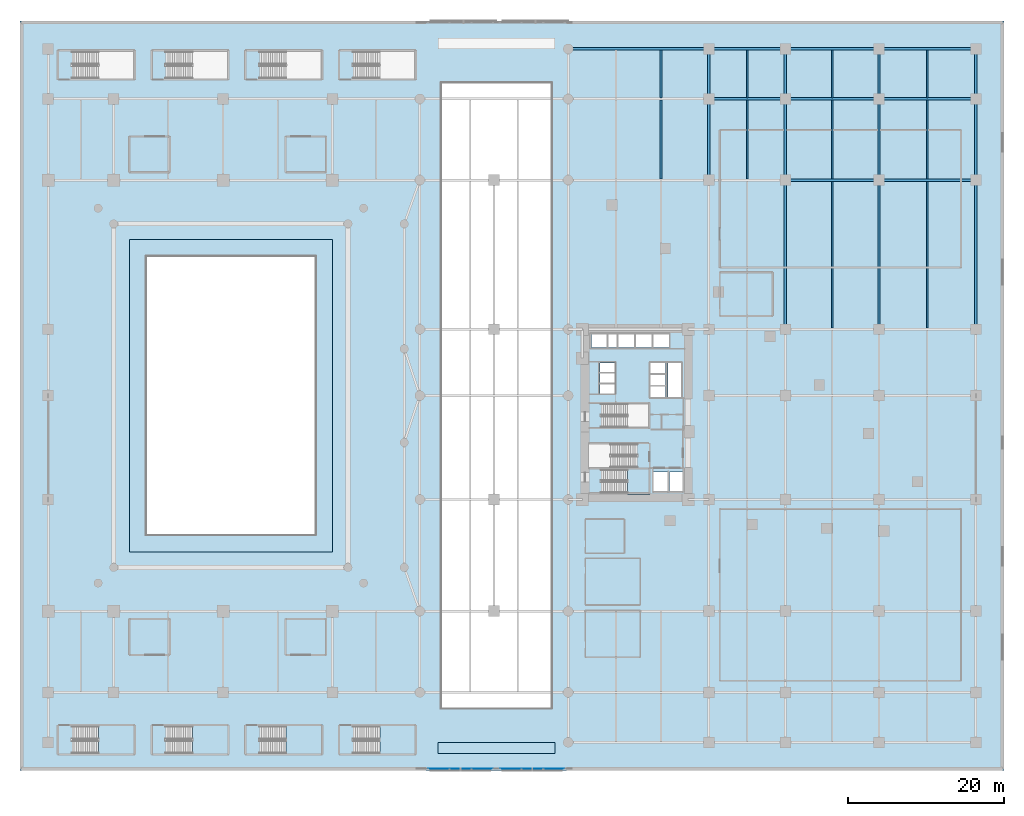
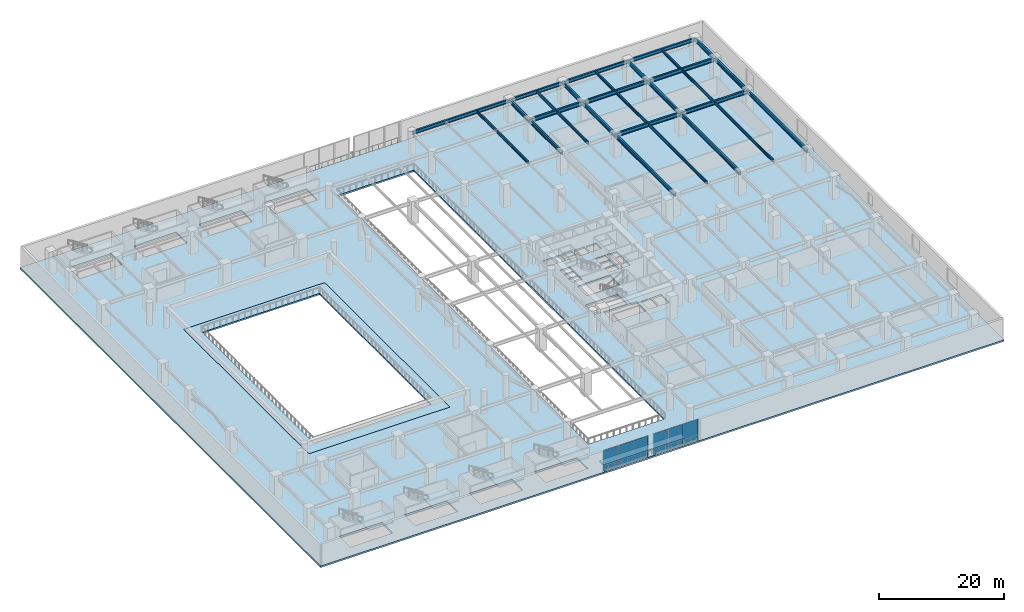
# One storey, part 10 of 32: 30 beams, 8 slabs, 6 plates, 7 elements without a shape of their own.
"""IFC4 building model written with IfcOpenShell, lengths in metres."""

from ifc_helpers import new_model, si_unit, direction, frame, origin, origin_2d, place, context, subcontext, project, spatial, polyline, rectangle, i_section, outline, extrude, material, layer, layer_set, material_profile, profile_set, type_object, element, aggregate, save


model = new_model("IFC4")

# Units and contexts
model_context = context("Model", 3, precision=1e-05, world=origin(), true_north=direction((0.0, 1.0)))
body_context = subcontext(model_context, "Body", "Model", "MODEL_VIEW")
ifc_project = project(units=[si_unit("LENGTHUNIT", "METRE"), si_unit("AREAUNIT", "SQUARE_METRE"), si_unit("VOLUMEUNIT", "CUBIC_METRE"), si_unit("PLANEANGLEUNIT", "RADIAN"), si_unit("MASSUNIT", "GRAM", prefix="KILO")], contexts=[model_context])

# Site, building, storey
site_placement = place(None, origin())
site = spatial("IfcSite", under=ifc_project, at=site_placement, CompositionType="ELEMENT")
building_placement = place(site_placement, origin())
building = spatial("IfcBuilding", under=site, at=building_placement, Name="Narakoshi Arena Tower", CompositionType="ELEMENT")
storey_placement = place(building_placement, frame((0.0, 0.0, 4.5)))
storey = spatial("IfcBuildingStorey", under=building, at=storey_placement, Name="L01", CompositionType="ELEMENT", Elevation=4.5)

# Beams
ifc_material_1 = material(Name="Structural steel S355J2", Category="steel")
ifc_material_profile_1 = material_profile(ifc_material_1, i_section(OverallWidth=0.300048828125, OverallDepth=0.699951171875, WebThickness=0.01708984375, FlangeThickness=0.031982421875, FilletRadius=0.027099609375, at=origin_2d()), Name="HE700B")
ifc_profile_set_1 = profile_set([ifc_material_profile_1], Name="Structural steel S355J2")
beam_type_1 = type_object("IfcBeamType", Name="BM-PRI-700", PredefinedType="BEAM", material=ifc_profile_set_1)
beam_1_placement = place(storey_placement, frame((98.0, 75.60009765625, 3.830078125), z_axis=(1.0, 0.0, 0.0), x_axis=(0.0, 1.0, 0.0)))
element("IfcBeam", 1, at=beam_1_placement, inside=storey, type_object=beam_type_1, Name="L01 Podium Primary X-Girder 051", PredefinedType="BEAM", context=body_context, shape_type="SweptSolid", body=[
    extrude(i_section(OverallWidth=0.300048828125, OverallDepth=0.699951171875, WebThickness=0.01708984375, FlangeThickness=0.031982421875, FilletRadius=0.027099609375, at=origin_2d()), origin(), (0.0, 0.0, 1.0), 12.0),
])
beam_2_placement = place(storey_placement, frame((110.0, 75.60009765625, 3.830078125), z_axis=(1.0, 0.0, 0.0), x_axis=(0.0, 1.0, 0.0)))
element("IfcBeam", 2, at=beam_2_placement, inside=storey, type_object=beam_type_1, Name="L01 Podium Primary X-Girder 052", PredefinedType="BEAM", context=body_context, shape_type="SweptSolid", body=[
    extrude(i_section(OverallWidth=0.300048828125, OverallDepth=0.699951171875, WebThickness=0.01708984375, FlangeThickness=0.031982421875, FilletRadius=0.027099609375, at=origin_2d()), origin(), (0.0, 0.0, 1.0), 12.39990234375),
])
beam_3_placement = place(storey_placement, frame((88.199951171875, 86.0, 3.830078125), z_axis=(1.0, 0.0, 0.0), x_axis=(0.0, 1.0, 0.0)))
element("IfcBeam", 3, at=beam_3_placement, inside=storey, type_object=beam_type_1, Name="L01 Podium Primary X-Girder 059", PredefinedType="BEAM", context=body_context, shape_type="SweptSolid", body=[
    extrude(i_section(OverallWidth=0.300048828125, OverallDepth=0.699951171875, WebThickness=0.01708984375, FlangeThickness=0.031982421875, FilletRadius=0.027099609375, at=origin_2d()), origin(), (0.0, 0.0, 1.0), 9.800048828125),
])
beam_4_placement = place(storey_placement, frame((98.0, 86.0, 3.830078125), z_axis=(1.0, 0.0, 0.0), x_axis=(0.0, 1.0, 0.0)))
element("IfcBeam", 4, at=beam_4_placement, inside=storey, type_object=beam_type_1, Name="L01 Podium Primary X-Girder 060", PredefinedType="BEAM", context=body_context, shape_type="SweptSolid", body=[
    extrude(i_section(OverallWidth=0.300048828125, OverallDepth=0.699951171875, WebThickness=0.01708984375, FlangeThickness=0.031982421875, FilletRadius=0.027099609375, at=origin_2d()), origin(), (0.0, 0.0, 1.0), 12.0),
])
beam_5_placement = place(storey_placement, frame((110.0, 86.0, 3.830078125), z_axis=(1.0, 0.0, 0.0), x_axis=(0.0, 1.0, 0.0)))
element("IfcBeam", 5, at=beam_5_placement, inside=storey, type_object=beam_type_1, Name="L01 Podium Primary X-Girder 061", PredefinedType="BEAM", context=body_context, shape_type="SweptSolid", body=[
    extrude(i_section(OverallWidth=0.300048828125, OverallDepth=0.699951171875, WebThickness=0.01708984375, FlangeThickness=0.031982421875, FilletRadius=0.027099609375, at=origin_2d()), origin(), (0.0, 0.0, 1.0), 12.39990234375),
])
beam_6_placement = place(storey_placement, frame((70.199951171875, 92.39990234375, 3.830078125), z_axis=(1.0, 0.0, 0.0), x_axis=(0.0, 1.0, 0.0)))
element("IfcBeam", 6, at=beam_6_placement, inside=storey, type_object=beam_type_1, Name="L01 Podium Primary X-Girder 062", PredefinedType="BEAM", context=body_context, shape_type="SweptSolid", body=[
    extrude(i_section(OverallWidth=0.300048828125, OverallDepth=0.699951171875, WebThickness=0.01708984375, FlangeThickness=0.031982421875, FilletRadius=0.027099609375, at=origin_2d()), origin(), (0.0, 0.0, 1.0), 18.0),
])
beam_7_placement = place(storey_placement, frame((88.199951171875, 92.39990234375, 3.830078125), z_axis=(1.0, 0.0, 0.0), x_axis=(0.0, 1.0, 0.0)))
element("IfcBeam", 7, at=beam_7_placement, inside=storey, type_object=beam_type_1, Name="L01 Podium Primary X-Girder 063", PredefinedType="BEAM", context=body_context, shape_type="SweptSolid", body=[
    extrude(i_section(OverallWidth=0.300048828125, OverallDepth=0.699951171875, WebThickness=0.01708984375, FlangeThickness=0.031982421875, FilletRadius=0.027099609375, at=origin_2d()), origin(), (0.0, 0.0, 1.0), 9.800048828125),
])
beam_8_placement = place(storey_placement, frame((98.0, 92.39990234375, 3.830078125), z_axis=(1.0, 0.0, 0.0), x_axis=(0.0, 1.0, 0.0)))
element("IfcBeam", 8, at=beam_8_placement, inside=storey, type_object=beam_type_1, Name="L01 Podium Primary X-Girder 064", PredefinedType="BEAM", context=body_context, shape_type="SweptSolid", body=[
    extrude(i_section(OverallWidth=0.300048828125, OverallDepth=0.699951171875, WebThickness=0.01708984375, FlangeThickness=0.031982421875, FilletRadius=0.027099609375, at=origin_2d()), origin(), (0.0, 0.0, 1.0), 12.0),
])
beam_9_placement = place(storey_placement, frame((110.0, 92.39990234375, 3.830078125), z_axis=(1.0, 0.0, 0.0), x_axis=(0.0, 1.0, 0.0)))
element("IfcBeam", 9, at=beam_9_placement, inside=storey, type_object=beam_type_1, Name="L01 Podium Primary X-Girder 065", PredefinedType="BEAM", context=body_context, shape_type="SweptSolid", body=[
    extrude(i_section(OverallWidth=0.300048828125, OverallDepth=0.699951171875, WebThickness=0.01708984375, FlangeThickness=0.031982421875, FilletRadius=0.027099609375, at=origin_2d()), origin(), (0.0, 0.0, 1.0), 12.39990234375),
])
beam_10_placement = place(storey_placement, frame((88.199951171875, 75.60009765625, 3.830078125), z_axis=(0.0, 1.0, 0.0), x_axis=(-1.0, 0.0, 0.0)))
element("IfcBeam", 10, at=beam_10_placement, inside=storey, type_object=beam_type_1, Name="L01 Podium Primary Y-Girder 104", PredefinedType="BEAM", context=body_context, shape_type="SweptSolid", body=[
    extrude(i_section(OverallWidth=0.300048828125, OverallDepth=0.699951171875, WebThickness=0.01708984375, FlangeThickness=0.031982421875, FilletRadius=0.027099609375, at=origin_2d()), origin(), (0.0, 0.0, 1.0), 10.39990234375),
])
beam_11_placement = place(storey_placement, frame((88.199951171875, 86.0, 3.830078125), z_axis=(0.0, 1.0, 0.0), x_axis=(-1.0, 0.0, 0.0)))
element("IfcBeam", 11, at=beam_11_placement, inside=storey, type_object=beam_type_1, Name="L01 Podium Primary Y-Girder 105", PredefinedType="BEAM", context=body_context, shape_type="SweptSolid", body=[
    extrude(i_section(OverallWidth=0.300048828125, OverallDepth=0.699951171875, WebThickness=0.01708984375, FlangeThickness=0.031982421875, FilletRadius=0.027099609375, at=origin_2d()), origin(), (0.0, 0.0, 1.0), 6.39990234375),
])
beam_12_placement = place(storey_placement, frame((98.0, 56.5, 3.830078125), z_axis=(0.0, 1.0, 0.0), x_axis=(-1.0, 0.0, 0.0)))
element("IfcBeam", 12, at=beam_12_placement, inside=storey, type_object=beam_type_1, Name="L01 Podium Primary Y-Girder 111", PredefinedType="BEAM", context=body_context, shape_type="SweptSolid", body=[
    extrude(i_section(OverallWidth=0.300048828125, OverallDepth=0.699951171875, WebThickness=0.01708984375, FlangeThickness=0.031982421875, FilletRadius=0.027099609375, at=origin_2d()), origin(), (0.0, 0.0, 1.0), 19.10009765625),
])
beam_13_placement = place(storey_placement, frame((98.0, 75.60009765625, 3.830078125), z_axis=(0.0, 1.0, 0.0), x_axis=(-1.0, 0.0, 0.0)))
element("IfcBeam", 13, at=beam_13_placement, inside=storey, type_object=beam_type_1, Name="L01 Podium Primary Y-Girder 112", PredefinedType="BEAM", context=body_context, shape_type="SweptSolid", body=[
    extrude(i_section(OverallWidth=0.300048828125, OverallDepth=0.699951171875, WebThickness=0.01708984375, FlangeThickness=0.031982421875, FilletRadius=0.027099609375, at=origin_2d()), origin(), (0.0, 0.0, 1.0), 10.39990234375),
])
beam_14_placement = place(storey_placement, frame((98.0, 86.0, 3.830078125), z_axis=(0.0, 1.0, 0.0), x_axis=(-1.0, 0.0, 0.0)))
element("IfcBeam", 14, at=beam_14_placement, inside=storey, type_object=beam_type_1, Name="L01 Podium Primary Y-Girder 113", PredefinedType="BEAM", context=body_context, shape_type="SweptSolid", body=[
    extrude(i_section(OverallWidth=0.300048828125, OverallDepth=0.699951171875, WebThickness=0.01708984375, FlangeThickness=0.031982421875, FilletRadius=0.027099609375, at=origin_2d()), origin(), (0.0, 0.0, 1.0), 6.39990234375),
])
beam_15_placement = place(storey_placement, frame((110.0, 56.5, 3.830078125), z_axis=(0.0, 1.0, 0.0), x_axis=(-1.0, 0.0, 0.0)))
element("IfcBeam", 15, at=beam_15_placement, inside=storey, type_object=beam_type_1, Name="L01 Podium Primary Y-Girder 119", PredefinedType="BEAM", context=body_context, shape_type="SweptSolid", body=[
    extrude(i_section(OverallWidth=0.300048828125, OverallDepth=0.699951171875, WebThickness=0.01708984375, FlangeThickness=0.031982421875, FilletRadius=0.027099609375, at=origin_2d()), origin(), (0.0, 0.0, 1.0), 19.10009765625),
])
beam_16_placement = place(storey_placement, frame((110.0, 75.60009765625, 3.830078125), z_axis=(0.0, 1.0, 0.0), x_axis=(-1.0, 0.0, 0.0)))
element("IfcBeam", 16, at=beam_16_placement, inside=storey, type_object=beam_type_1, Name="L01 Podium Primary Y-Girder 120", PredefinedType="BEAM", context=body_context, shape_type="SweptSolid", body=[
    extrude(i_section(OverallWidth=0.300048828125, OverallDepth=0.699951171875, WebThickness=0.01708984375, FlangeThickness=0.031982421875, FilletRadius=0.027099609375, at=origin_2d()), origin(), (0.0, 0.0, 1.0), 10.39990234375),
])
beam_17_placement = place(storey_placement, frame((110.0, 86.0, 3.830078125), z_axis=(0.0, 1.0, 0.0), x_axis=(-1.0, 0.0, 0.0)))
element("IfcBeam", 17, at=beam_17_placement, inside=storey, type_object=beam_type_1, Name="L01 Podium Primary Y-Girder 121", PredefinedType="BEAM", context=body_context, shape_type="SweptSolid", body=[
    extrude(i_section(OverallWidth=0.300048828125, OverallDepth=0.699951171875, WebThickness=0.01708984375, FlangeThickness=0.031982421875, FilletRadius=0.027099609375, at=origin_2d()), origin(), (0.0, 0.0, 1.0), 6.39990234375),
])
beam_18_placement = place(storey_placement, frame((122.39990234375, 56.5, 3.830078125), z_axis=(0.0, 1.0, 0.0), x_axis=(-1.0, 0.0, 0.0)))
element("IfcBeam", 18, at=beam_18_placement, inside=storey, type_object=beam_type_1, Name="L01 Podium Primary Y-Girder 127", PredefinedType="BEAM", context=body_context, shape_type="SweptSolid", body=[
    extrude(i_section(OverallWidth=0.300048828125, OverallDepth=0.699951171875, WebThickness=0.01708984375, FlangeThickness=0.031982421875, FilletRadius=0.027099609375, at=origin_2d()), origin(), (0.0, 0.0, 1.0), 19.10009765625),
])
beam_19_placement = place(storey_placement, frame((122.39990234375, 75.60009765625, 3.830078125), z_axis=(0.0, 1.0, 0.0), x_axis=(-1.0, 0.0, 0.0)))
element("IfcBeam", 19, at=beam_19_placement, inside=storey, type_object=beam_type_1, Name="L01 Podium Primary Y-Girder 128", PredefinedType="BEAM", context=body_context, shape_type="SweptSolid", body=[
    extrude(i_section(OverallWidth=0.300048828125, OverallDepth=0.699951171875, WebThickness=0.01708984375, FlangeThickness=0.031982421875, FilletRadius=0.027099609375, at=origin_2d()), origin(), (0.0, 0.0, 1.0), 10.39990234375),
])
beam_20_placement = place(storey_placement, frame((122.39990234375, 86.0, 3.830078125), z_axis=(0.0, 1.0, 0.0), x_axis=(-1.0, 0.0, 0.0)))
element("IfcBeam", 20, at=beam_20_placement, inside=storey, type_object=beam_type_1, Name="L01 Podium Primary Y-Girder 129", PredefinedType="BEAM", context=body_context, shape_type="SweptSolid", body=[
    extrude(i_section(OverallWidth=0.300048828125, OverallDepth=0.699951171875, WebThickness=0.01708984375, FlangeThickness=0.031982421875, FilletRadius=0.027099609375, at=origin_2d()), origin(), (0.0, 0.0, 1.0), 6.39990234375),
])
ifc_material_profile_2 = material_profile(ifc_material_1, i_section(OverallWidth=0.199951171875, OverallDepth=0.5, WebThickness=0.01025390625, FlangeThickness=0.01611328125, FilletRadius=0.02099609375, at=origin_2d()), Name="IPE500")
ifc_profile_set_2 = profile_set([ifc_material_profile_2], Name="Structural steel S355J2")
beam_type_2 = type_object("IfcBeamType", Name="BM-SEC-500", PredefinedType="JOIST", material=ifc_profile_set_2)
beam_21_placement = place(storey_placement, frame((82.080078125, 75.735107421875, 3.929931640625), z_axis=(0.0, 1.0, 0.0), x_axis=(-1.0, 0.0, 0.0)))
element("IfcBeam", 21, at=beam_21_placement, inside=storey, type_object=beam_type_2, Name="L01 Podium Composite Floor Joist 029", PredefinedType="JOIST", context=body_context, shape_type="SweptSolid", body=[
    extrude(i_section(OverallWidth=0.199951171875, OverallDepth=0.5, WebThickness=0.01025390625, FlangeThickness=0.01611328125, FilletRadius=0.02099609375, at=origin_2d()), origin(), (0.0, 0.0, 1.0), 10.1298828125),
])
beam_22_placement = place(storey_placement, frame((82.080078125, 86.135009765625, 3.929931640625), z_axis=(0.0, 1.0, 0.0), x_axis=(-1.0, 0.0, 0.0)))
element("IfcBeam", 22, at=beam_22_placement, inside=storey, type_object=beam_type_2, Name="L01 Podium Composite Floor Joist 030", PredefinedType="JOIST", context=body_context, shape_type="SweptSolid", body=[
    extrude(i_section(OverallWidth=0.199951171875, OverallDepth=0.5, WebThickness=0.01025390625, FlangeThickness=0.01611328125, FilletRadius=0.02099609375, at=origin_2d()), origin(), (0.0, 0.0, 1.0), 6.1298828125),
])
beam_23_placement = place(storey_placement, frame((93.10009765625, 75.735107421875, 3.929931640625), z_axis=(0.0, 1.0, 0.0), x_axis=(-1.0, 0.0, 0.0)))
element("IfcBeam", 23, at=beam_23_placement, inside=storey, type_object=beam_type_2, Name="L01 Podium Composite Floor Joist 037", PredefinedType="JOIST", context=body_context, shape_type="SweptSolid", body=[
    extrude(i_section(OverallWidth=0.199951171875, OverallDepth=0.5, WebThickness=0.01025390625, FlangeThickness=0.01611328125, FilletRadius=0.02099609375, at=origin_2d()), origin(), (0.0, 0.0, 1.0), 10.1298828125),
])
beam_24_placement = place(storey_placement, frame((93.10009765625, 86.135009765625, 3.929931640625), z_axis=(0.0, 1.0, 0.0), x_axis=(-1.0, 0.0, 0.0)))
element("IfcBeam", 24, at=beam_24_placement, inside=storey, type_object=beam_type_2, Name="L01 Podium Composite Floor Joist 038", PredefinedType="JOIST", context=body_context, shape_type="SweptSolid", body=[
    extrude(i_section(OverallWidth=0.199951171875, OverallDepth=0.5, WebThickness=0.01025390625, FlangeThickness=0.01611328125, FilletRadius=0.02099609375, at=origin_2d()), origin(), (0.0, 0.0, 1.0), 6.1298828125),
])
beam_25_placement = place(storey_placement, frame((104.0, 56.635009765625, 3.929931640625), z_axis=(0.0, 1.0, 0.0), x_axis=(-1.0, 0.0, 0.0)))
element("IfcBeam", 25, at=beam_25_placement, inside=storey, type_object=beam_type_2, Name="L01 Podium Composite Floor Joist 044", PredefinedType="JOIST", context=body_context, shape_type="SweptSolid", body=[
    extrude(i_section(OverallWidth=0.199951171875, OverallDepth=0.5, WebThickness=0.01025390625, FlangeThickness=0.01611328125, FilletRadius=0.02099609375, at=origin_2d()), origin(), (0.0, 0.0, 1.0), 18.830078125),
])
beam_26_placement = place(storey_placement, frame((104.0, 75.735107421875, 3.929931640625), z_axis=(0.0, 1.0, 0.0), x_axis=(-1.0, 0.0, 0.0)))
element("IfcBeam", 26, at=beam_26_placement, inside=storey, type_object=beam_type_2, Name="L01 Podium Composite Floor Joist 045", PredefinedType="JOIST", context=body_context, shape_type="SweptSolid", body=[
    extrude(i_section(OverallWidth=0.199951171875, OverallDepth=0.5, WebThickness=0.01025390625, FlangeThickness=0.01611328125, FilletRadius=0.02099609375, at=origin_2d()), origin(), (0.0, 0.0, 1.0), 10.1298828125),
])
beam_27_placement = place(storey_placement, frame((104.0, 86.135009765625, 3.929931640625), z_axis=(0.0, 1.0, 0.0), x_axis=(-1.0, 0.0, 0.0)))
element("IfcBeam", 27, at=beam_27_placement, inside=storey, type_object=beam_type_2, Name="L01 Podium Composite Floor Joist 046", PredefinedType="JOIST", context=body_context, shape_type="SweptSolid", body=[
    extrude(i_section(OverallWidth=0.199951171875, OverallDepth=0.5, WebThickness=0.01025390625, FlangeThickness=0.01611328125, FilletRadius=0.02099609375, at=origin_2d()), origin(), (0.0, 0.0, 1.0), 6.1298828125),
])
beam_28_placement = place(storey_placement, frame((116.199951171875, 56.635009765625, 3.929931640625), z_axis=(0.0, 1.0, 0.0), x_axis=(-1.0, 0.0, 0.0)))
element("IfcBeam", 28, at=beam_28_placement, inside=storey, type_object=beam_type_2, Name="L01 Podium Composite Floor Joist 052", PredefinedType="JOIST", context=body_context, shape_type="SweptSolid", body=[
    extrude(i_section(OverallWidth=0.199951171875, OverallDepth=0.5, WebThickness=0.01025390625, FlangeThickness=0.01611328125, FilletRadius=0.02099609375, at=origin_2d()), origin(), (0.0, 0.0, 1.0), 18.830078125),
])
beam_29_placement = place(storey_placement, frame((116.199951171875, 75.735107421875, 3.929931640625), z_axis=(0.0, 1.0, 0.0), x_axis=(-1.0, 0.0, 0.0)))
element("IfcBeam", 29, at=beam_29_placement, inside=storey, type_object=beam_type_2, Name="L01 Podium Composite Floor Joist 053", PredefinedType="JOIST", context=body_context, shape_type="SweptSolid", body=[
    extrude(i_section(OverallWidth=0.199951171875, OverallDepth=0.5, WebThickness=0.01025390625, FlangeThickness=0.01611328125, FilletRadius=0.02099609375, at=origin_2d()), origin(), (0.0, 0.0, 1.0), 10.1298828125),
])
beam_30_placement = place(storey_placement, frame((116.199951171875, 86.135009765625, 3.929931640625), z_axis=(0.0, 1.0, 0.0), x_axis=(-1.0, 0.0, 0.0)))
element("IfcBeam", 30, at=beam_30_placement, inside=storey, type_object=beam_type_2, Name="L01 Podium Composite Floor Joist 054", PredefinedType="JOIST", context=body_context, shape_type="SweptSolid", body=[
    extrude(i_section(OverallWidth=0.199951171875, OverallDepth=0.5, WebThickness=0.01025390625, FlangeThickness=0.01611328125, FilletRadius=0.02099609375, at=origin_2d()), origin(), (0.0, 0.0, 1.0), 6.1298828125),
])

# Curtain wall, plates
ifc_material_2 = material(Name="Anodised bronze aluminium 6063-T6", Category="aluminium")
curtain_wall_type = type_object("IfcCurtainWallType", Name="CW-POD-CONC", PredefinedType="NOTDEFINED", material=ifc_material_2)
curtain_wall_1_placement = place(storey_placement, origin())
curtain_wall_1 = element("IfcCurtainWall", 31, at=curtain_wall_1_placement, inside=storey, type_object=curtain_wall_type, Name="L01 Street Concourse Curtain Wall CS1", PredefinedType="NOTDEFINED")
ifc_material_3 = material(Name="Bronze-tinted low-E laminated glass", Category="glass")
ifc_layer_1 = layer(ifc_material_3, 0.031982421875)
ifc_layer_set_1 = layer_set([ifc_layer_1], Name="Bronze-tinted low-E laminated glass")
plate_type = type_object("IfcPlateType", Name="PLT-GLZ-32", PredefinedType="CURTAIN_PANEL", material=ifc_layer_set_1)
plate_1_placement = place(storey_placement, frame((53.6201171875, 0.2099609375, 0.070068359375), z_axis=(0.0, 0.0, 1.0), x_axis=(1.0, 0.0, 0.0)))
plate_1 = element("IfcPlate", 32, at=plate_1_placement, type_object=plate_type, Name="CW-04 panel 1.1", PredefinedType="CURTAIN_PANEL", context=body_context, shape_type="SweptSolid", body=[
    extrude(rectangle(XDim=2.679931640625, YDim=0.031982421875, at=origin_2d()), origin(), (0.0, 0.0, 1.0), 4.0400390625),
])
plate_2_placement = place(storey_placement, frame((56.39990234375, 0.2099609375, 0.070068359375), z_axis=(0.0, 0.0, 1.0), x_axis=(1.0, 0.0, 0.0)))
plate_2 = element("IfcPlate", 33, at=plate_2_placement, type_object=plate_type, Name="CW-04 panel 2.1", PredefinedType="CURTAIN_PANEL", context=body_context, shape_type="SweptSolid", body=[
    extrude(rectangle(XDim=2.719970703125, YDim=0.031982421875, at=origin_2d()), origin(), (0.0, 0.0, 1.0), 4.0400390625),
])
plate_3_placement = place(storey_placement, frame((59.179931640625, 0.2099609375, 0.070068359375), z_axis=(0.0, 0.0, 1.0), x_axis=(1.0, 0.0, 0.0)))
plate_3 = element("IfcPlate", 34, at=plate_3_placement, type_object=plate_type, Name="CW-04 panel 3.1", PredefinedType="CURTAIN_PANEL", context=body_context, shape_type="SweptSolid", body=[
    extrude(rectangle(XDim=2.679931640625, YDim=0.031982421875, at=origin_2d()), origin(), (0.0, 0.0, 1.0), 4.0400390625),
])
aggregate(curtain_wall_1, [plate_1, plate_2, plate_3])

curtain_wall_2_placement = place(storey_placement, origin())
curtain_wall_2 = element("IfcCurtainWall", 35, at=curtain_wall_2_placement, inside=storey, type_object=curtain_wall_type, Name="L01 Street Concourse Curtain Wall CS2", PredefinedType="NOTDEFINED")
plate_4_placement = place(storey_placement, frame((62.820068359375, 0.2099609375, 0.070068359375), z_axis=(0.0, 0.0, 1.0), x_axis=(1.0, 0.0, 0.0)))
plate_4 = element("IfcPlate", 36, at=plate_4_placement, type_object=plate_type, Name="CW-04 panel 1.1", PredefinedType="CURTAIN_PANEL", context=body_context, shape_type="SweptSolid", body=[
    extrude(rectangle(XDim=2.679931640625, YDim=0.031982421875, at=origin_2d()), origin(), (0.0, 0.0, 1.0), 4.0400390625),
])
plate_5_placement = place(storey_placement, frame((65.60009765625, 0.2099609375, 0.070068359375), z_axis=(0.0, 0.0, 1.0), x_axis=(1.0, 0.0, 0.0)))
plate_5 = element("IfcPlate", 37, at=plate_5_placement, type_object=plate_type, Name="CW-04 panel 2.1", PredefinedType="CURTAIN_PANEL", context=body_context, shape_type="SweptSolid", body=[
    extrude(rectangle(XDim=2.719970703125, YDim=0.031982421875, at=origin_2d()), origin(), (0.0, 0.0, 1.0), 4.0400390625),
])
plate_6_placement = place(storey_placement, frame((68.3798828125, 0.2099609375, 0.070068359375), z_axis=(0.0, 0.0, 1.0), x_axis=(1.0, 0.0, 0.0)))
plate_6 = element("IfcPlate", 38, at=plate_6_placement, type_object=plate_type, Name="CW-04 panel 3.1", PredefinedType="CURTAIN_PANEL", context=body_context, shape_type="SweptSolid", body=[
    extrude(rectangle(XDim=2.679931640625, YDim=0.031982421875, at=origin_2d()), origin(), (0.0, 0.0, 1.0), 4.0400390625),
])
aggregate(curtain_wall_2, [plate_4, plate_5, plate_6])

# Slabs
ifc_material_4 = material(Name="Concrete C40/50", Category="concrete")
ifc_layer_2 = layer(ifc_material_4, 0.31494140625)
ifc_layer_set_2 = layer_set([ifc_layer_2], Name="Concrete C40/50")
slab_type_1 = type_object("IfcSlabType", Name="SLB-AROF-180", PredefinedType="ROOF", material=ifc_layer_set_2)
slab_1_placement = place(storey_placement, frame((0.0, 0.0, -0.64501953125)))
element("IfcSlab", 39, at=slab_1_placement, inside=storey, type_object=slab_type_1, Name="L01 Non-Accessible Concourse Soffit Canopy Deck S", PredefinedType="ROOF", context=body_context, shape_type="SweptSolid", body=[
    extrude(outline(polyline([(53.5, 2.199951171875), (68.5, 2.199951171875), (68.5, 3.60009765625), (53.5, 3.60009765625), (53.5, 2.199951171875)])), origin(), (0.0, 0.0, 1.0), 0.31494140625),
])
ifc_material_5 = material(Name="Precast concrete C45/55", Category="concrete")
ifc_layer_3 = layer(ifc_material_5, 0.280029296875)
ifc_layer_set_3 = layer_set([ifc_layer_3], Name="Precast concrete C45/55")
slab_type_2 = type_object("IfcSlabType", Name="SLB-BOWL-280", PredefinedType="FLOOR", material=ifc_layer_set_3)
slab_2_placement = place(storey_placement, frame((0.0, 0.0, -0.280029296875)))
element("IfcSlab", 40, at=slab_2_placement, inside=storey, type_object=slab_type_2, Name="L01 Precast Arena Bowl Seating Tier Slab", PredefinedType="FLOOR", context=body_context, shape_type="SweptSolid", body=[
    extrude(outline(polyline([(40.0, 28.0), (40.0, 68.0), (14.0, 68.0), (14.0, 28.0), (40.0, 28.0)]), holes=[polyline([(37.800048828125, 30.199951171875), (37.800048828125, 65.800048828125), (16.199951171875, 65.800048828125), (16.199951171875, 30.199951171875), (37.800048828125, 30.199951171875)])]), origin(), (0.0, 0.0, 1.0), 0.280029296875),
])

# Stair, slab
ifc_material_6 = material(Name="Concrete C45/55", Category="concrete")
stair_type_1 = type_object("IfcStairType", Name="STR-POD-450", PredefinedType="TWO_STRAIGHT_RUN_STAIR", material=ifc_material_6)
stair_1_placement = place(storey_placement, origin())
stair_1 = element("IfcStair", 41, at=stair_1_placement, inside=storey, type_object=stair_type_1, Name="L01 Core Escape Stair ST1", PredefinedType="TWO_STRAIGHT_RUN_STAIR")
ifc_layer_4 = layer(ifc_material_6, 0.18994140625)
ifc_layer_set_4 = layer_set([ifc_layer_4], Name="Concrete C45/55")
slab_type_3 = type_object("IfcSlabType", Name="SLB-LND-190", PredefinedType="LANDING", material=ifc_layer_set_4)
slab_3_placement = place(storey_placement, frame((0.0, 0.0, 2.06005859375)))
slab_3 = element("IfcSlab", 42, at=slab_3_placement, type_object=slab_type_3, Name="ST1 landing 1", PredefinedType="LANDING", context=body_context, shape_type="SweptSolid", body=[
    extrude(outline(polyline([(77.820068359375, 35.3701171875), (80.679931640625, 35.3701171875), (80.679931640625, 38.72998046875), (77.820068359375, 38.72998046875), (77.820068359375, 35.3701171875)])), origin(), (0.0, 0.0, 1.0), 0.18994140625),
])
aggregate(stair_1, [slab_3])

stair_type_2 = type_object("IfcStairType", Name="STR-ARN-2400", PredefinedType="TWO_STRAIGHT_RUN_STAIR", material=ifc_material_6)
stair_2_placement = place(storey_placement, origin())
stair_2 = element("IfcStair", 43, at=stair_2_placement, inside=storey, type_object=stair_type_2, Name="L01 Arena Crowd Escape Stair AST1", PredefinedType="TWO_STRAIGHT_RUN_STAIR")
slab_4_placement = place(storey_placement, frame((0.0, 0.0, 2.06005859375)))
slab_4 = element("IfcSlab", 44, at=slab_4_placement, type_object=slab_type_3, Name="AST1 landing 1", PredefinedType="LANDING", context=body_context, shape_type="SweptSolid", body=[
    extrude(outline(polyline([(10.070068359375, 2.02001953125), (14.72998046875, 2.02001953125), (14.72998046875, 5.830078125), (10.070068359375, 5.830078125), (10.070068359375, 2.02001953125)])), origin(), (0.0, 0.0, 1.0), 0.18994140625),
])
aggregate(stair_2, [slab_4])

stair_3_placement = place(storey_placement, origin())
stair_3 = element("IfcStair", 45, at=stair_3_placement, inside=storey, type_object=stair_type_2, Name="L01 Arena Crowd Escape Stair AST2", PredefinedType="TWO_STRAIGHT_RUN_STAIR")
slab_5_placement = place(storey_placement, frame((0.0, 0.0, 2.06005859375)))
slab_5 = element("IfcSlab", 46, at=slab_5_placement, type_object=slab_type_3, Name="AST2 landing 1", PredefinedType="LANDING", context=body_context, shape_type="SweptSolid", body=[
    extrude(outline(polyline([(22.070068359375, 2.02001953125), (26.72998046875, 2.02001953125), (26.72998046875, 5.830078125), (22.070068359375, 5.830078125), (22.070068359375, 2.02001953125)])), origin(), (0.0, 0.0, 1.0), 0.18994140625),
])
aggregate(stair_3, [slab_5])

stair_4_placement = place(storey_placement, origin())
stair_4 = element("IfcStair", 47, at=stair_4_placement, inside=storey, type_object=stair_type_2, Name="L01 Arena Crowd Escape Stair AST3", PredefinedType="TWO_STRAIGHT_RUN_STAIR")
slab_6_placement = place(storey_placement, frame((0.0, 0.0, 2.06005859375)))
slab_6 = element("IfcSlab", 48, at=slab_6_placement, type_object=slab_type_3, Name="AST3 landing 1", PredefinedType="LANDING", context=body_context, shape_type="SweptSolid", body=[
    extrude(outline(polyline([(34.070068359375, 2.02001953125), (38.72998046875, 2.02001953125), (38.72998046875, 5.830078125), (34.070068359375, 5.830078125), (34.070068359375, 2.02001953125)])), origin(), (0.0, 0.0, 1.0), 0.18994140625),
])
aggregate(stair_4, [slab_6])

stair_5_placement = place(storey_placement, origin())
stair_5 = element("IfcStair", 49, at=stair_5_placement, inside=storey, type_object=stair_type_2, Name="L01 Arena Crowd Escape Stair AST4", PredefinedType="TWO_STRAIGHT_RUN_STAIR")
slab_7_placement = place(storey_placement, frame((0.0, 0.0, 2.06005859375)))
slab_7 = element("IfcSlab", 50, at=slab_7_placement, type_object=slab_type_3, Name="AST4 landing 1", PredefinedType="LANDING", context=body_context, shape_type="SweptSolid", body=[
    extrude(outline(polyline([(46.070068359375, 2.02001953125), (50.72998046875, 2.02001953125), (50.72998046875, 5.830078125), (46.070068359375, 5.830078125), (46.070068359375, 2.02001953125)])), origin(), (0.0, 0.0, 1.0), 0.18994140625),
])
aggregate(stair_5, [slab_7])

# Slab
ifc_layer_5 = layer(ifc_material_6, 0.320068359375)
ifc_layer_set_5 = layer_set([ifc_layer_5], Name="Concrete C45/55")
slab_type_4 = type_object("IfcSlabType", Name="SLB-POD-320", PredefinedType="FLOOR", material=ifc_layer_set_5)
slab_8_placement = place(storey_placement, frame((0.0, 0.0, -0.320068359375)))
element("IfcSlab", 51, at=slab_8_placement, inside=storey, type_object=slab_type_4, Name="L01 Structural Floor Slab", PredefinedType="FLOOR", context=body_context, shape_type="SweptSolid", body=[
    extrude(outline(polyline([(0.0, 0.0), (126.0, 0.0), (126.0, 96.0), (0.0, 96.0), (0.0, 0.0)]), holes=[polyline([(6.72998046875, 2.199951171875), (6.72998046875, 5.64990234375), (14.550048828125, 5.64990234375), (14.550048828125, 2.199951171875), (6.72998046875, 2.199951171875)]), polyline([(18.72998046875, 5.64990234375), (26.550048828125, 5.64990234375), (26.550048828125, 2.199951171875), (18.72998046875, 2.199951171875), (18.72998046875, 5.64990234375)]), polyline([(30.72998046875, 5.64990234375), (38.550048828125, 5.64990234375), (38.550048828125, 2.199951171875), (30.72998046875, 2.199951171875), (30.72998046875, 5.64990234375)]), polyline([(42.72998046875, 2.199951171875), (42.72998046875, 5.64990234375), (50.550048828125, 5.64990234375), (50.550048828125, 2.199951171875), (42.72998046875, 2.199951171875)]), polyline([(54.0, 88.0), (68.0, 88.0), (68.0, 8.0), (54.0, 8.0), (54.0, 88.0)]), polyline([(14.0, 68.0), (40.0, 68.0), (40.0, 28.0), (14.0, 28.0), (14.0, 68.0)]), polyline([(74.47998046875, 38.550048828125), (80.5, 38.550048828125), (80.5, 35.550048828125), (74.47998046875, 35.550048828125), (74.47998046875, 38.550048828125)]), polyline([(81.14990234375, 38.25), (82.89990234375, 38.25), (82.89990234375, 35.75), (81.14990234375, 35.75), (81.14990234375, 38.25)]), polyline([(83.14990234375, 38.25), (84.89990234375, 38.25), (84.89990234375, 35.75), (83.14990234375, 35.75), (83.14990234375, 38.25)]), polyline([(72.949951171875, 41.800048828125), (78.969970703125, 41.800048828125), (78.969970703125, 38.800048828125), (72.949951171875, 38.800048828125), (72.949951171875, 41.800048828125)]), polyline([(74.47998046875, 46.949951171875), (80.5, 46.949951171875), (80.5, 43.949951171875), (74.47998046875, 43.949951171875), (74.47998046875, 46.949951171875)]), polyline([(82.949951171875, 52.199951171875), (84.699951171875, 52.199951171875), (84.699951171875, 47.840087890625), (82.949951171875, 47.840087890625), (82.949951171875, 52.199951171875)]), polyline([(80.75, 49.14990234375), (82.64990234375, 49.14990234375), (82.64990234375, 47.85009765625), (80.75, 47.85009765625), (80.75, 49.14990234375)]), polyline([(74.25, 48.25), (74.25, 49.449951171875), (76.14990234375, 49.449951171875), (76.14990234375, 48.25), (74.25, 48.25)]), polyline([(80.75, 49.3701171875), (80.75, 50.669921875), (82.64990234375, 50.669921875), (82.64990234375, 49.3701171875), (80.75, 49.3701171875)]), polyline([(74.25, 50.85009765625), (76.14990234375, 50.85009765625), (76.14990234375, 49.64990234375), (74.25, 49.64990234375), (74.25, 50.85009765625)]), polyline([(80.75, 52.18994140625), (82.64990234375, 52.18994140625), (82.64990234375, 50.889892578125), (80.75, 50.889892578125), (80.75, 52.18994140625)]), polyline([(74.25, 52.2099609375), (76.14990234375, 52.2099609375), (76.14990234375, 51.050048828125), (74.25, 51.050048828125), (74.25, 52.2099609375)]), polyline([(73.14990234375, 55.85009765625), (75.10009765625, 55.85009765625), (75.10009765625, 54.14990234375), (73.14990234375, 54.14990234375), (73.14990234375, 55.85009765625)]), polyline([(75.35009765625, 55.85009765625), (76.39990234375, 55.85009765625), (76.39990234375, 54.14990234375), (75.35009765625, 54.14990234375), (75.35009765625, 55.85009765625)]), polyline([(76.64990234375, 55.85009765625), (78.60009765625, 55.85009765625), (78.60009765625, 54.14990234375), (76.64990234375, 54.14990234375), (76.64990234375, 55.85009765625)]), polyline([(78.89990234375, 55.85009765625), (80.85009765625, 55.85009765625), (80.85009765625, 54.14990234375), (78.89990234375, 54.14990234375), (78.89990234375, 55.85009765625)]), polyline([(81.14990234375, 55.85009765625), (83.10009765625, 55.85009765625), (83.10009765625, 54.14990234375), (81.14990234375, 54.14990234375), (81.14990234375, 55.85009765625)]), polyline([(6.72998046875, 92.050048828125), (14.550048828125, 92.050048828125), (14.550048828125, 88.60009765625), (6.72998046875, 88.60009765625), (6.72998046875, 92.050048828125)]), polyline([(18.72998046875, 92.050048828125), (26.550048828125, 92.050048828125), (26.550048828125, 88.60009765625), (18.72998046875, 88.60009765625), (18.72998046875, 92.050048828125)]), polyline([(30.72998046875, 92.050048828125), (38.550048828125, 92.050048828125), (38.550048828125, 88.60009765625), (30.72998046875, 88.60009765625), (30.72998046875, 92.050048828125)]), polyline([(42.72998046875, 88.60009765625), (42.72998046875, 92.050048828125), (50.550048828125, 92.050048828125), (50.550048828125, 88.60009765625), (42.72998046875, 88.60009765625)])]), origin(), (0.0, 0.0, 1.0), 0.320068359375),
])

save(model, "model.ifc")
